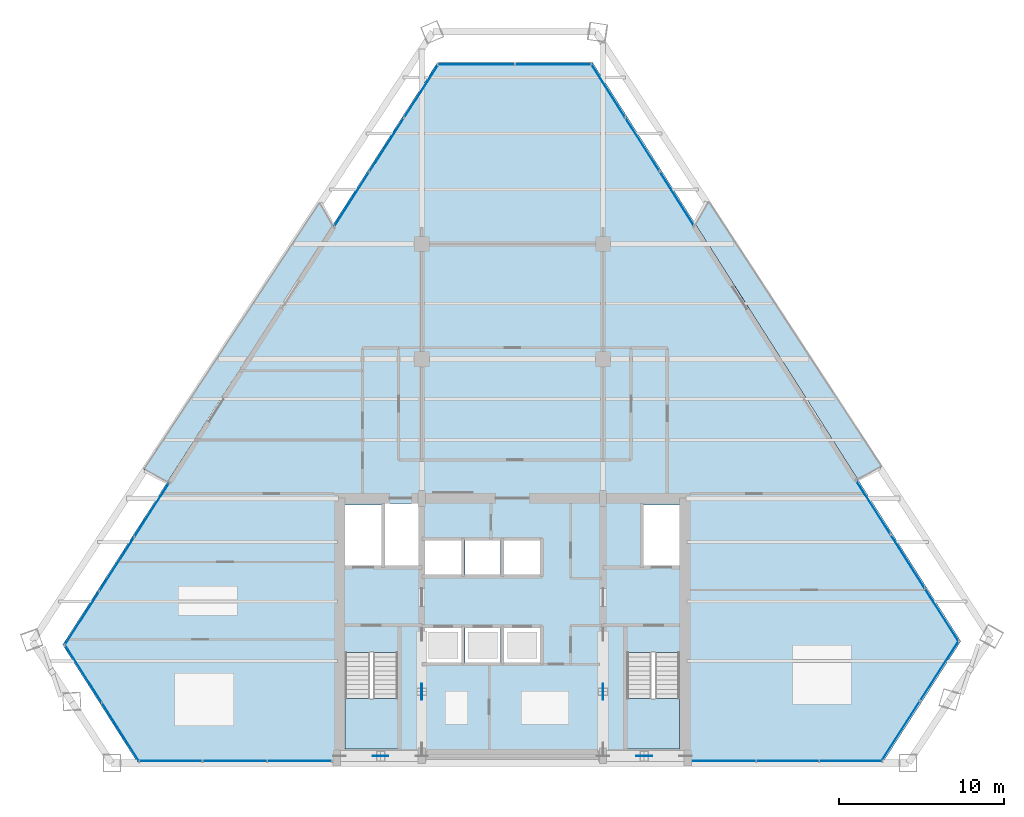
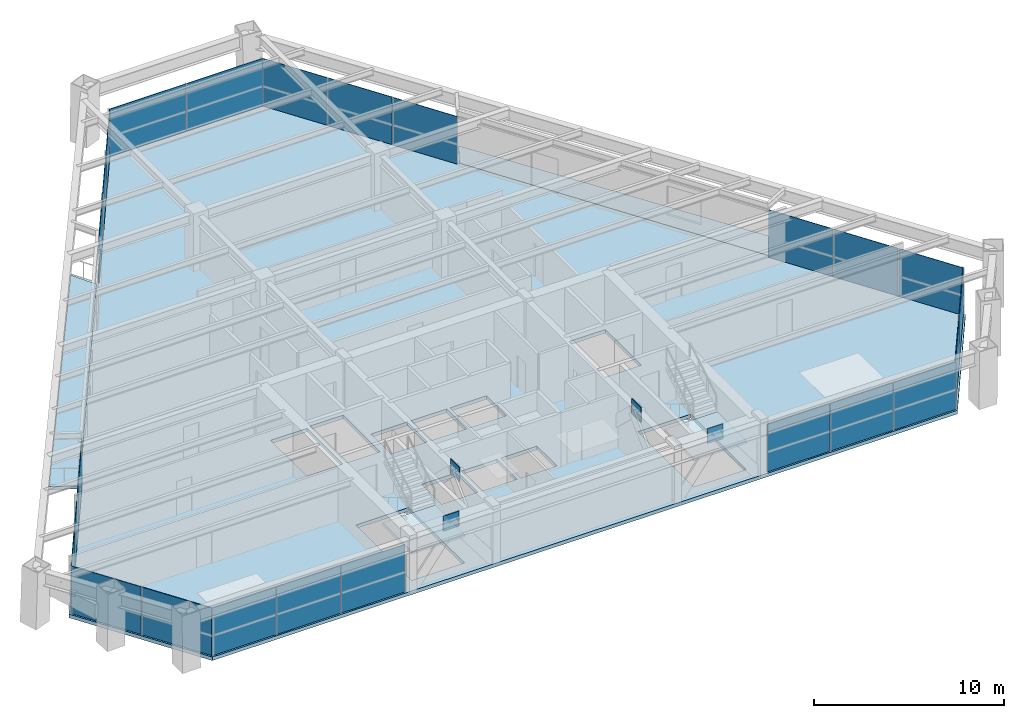
# One storey, part 10 of 16: 28 plates, 5 slabs, 11 elements without a shape of their own.
"""IFC4 building model written with IfcOpenShell, lengths in metres."""

from ifc_helpers import new_model, si_unit, direction, frame, origin, origin_2d, place, context, subcontext, project, spatial, polyline, rectangle, outline, extrude, source, transform, mapped, material, layer, layer_set, type_object, element, aggregate, save


model = new_model("IFC4")

# Units and contexts
model_context = context("Model", 3, precision=1e-05, world=origin(), true_north=direction((0.0, 1.0)))
body_context = subcontext(model_context, "Body", "Model", "MODEL_VIEW")
ifc_project = project(units=[si_unit("LENGTHUNIT", "METRE"), si_unit("AREAUNIT", "SQUARE_METRE"), si_unit("VOLUMEUNIT", "CUBIC_METRE"), si_unit("PLANEANGLEUNIT", "RADIAN"), si_unit("MASSUNIT", "GRAM", prefix="KILO")], contexts=[model_context])

# Site, building, storey
site_placement = place(None, origin())
site = spatial("IfcSite", under=ifc_project, at=site_placement, CompositionType="ELEMENT")
building_placement = place(site_placement, origin())
building = spatial("IfcBuilding", under=site, at=building_placement, Name="Varnakhor Terracotta Tower", CompositionType="ELEMENT")
storey_placement = place(building_placement, frame((0.0, 0.0, 151.5)))
storey = spatial("IfcBuildingStorey", under=building, at=storey_placement, Name="L38", CompositionType="ELEMENT", Elevation=151.5)

# Stair, slab
ifc_material_1 = material(Name="Concrete C40/50", Category="concrete")
stair_type = type_object("IfcStairType", Name="STR-CORE-OFFICE-1500", PredefinedType="HALF_TURN_STAIR", material=ifc_material_1)
stair_1_placement = place(storey_placement, origin())
stair_1 = element("IfcStair", 1, at=stair_1_placement, inside=storey, type_object=stair_type, Name="L38 Core Exit Stair ST-1", PredefinedType="HALF_TURN_STAIR")
ifc_layer_1 = layer(ifc_material_1, 0.179931640625, Name="Concrete C40/50")
ifc_layer_set_1 = layer_set([ifc_layer_1], Name="Concrete C40/50")
slab_type_1 = type_object("IfcSlabType", Name="SLB-LANDING-180", PredefinedType="LANDING", material=ifc_layer_set_1)
slab_1_placement = place(storey_placement, frame((0.0, 0.0, 1.64990234375)))
slab_1 = element("IfcSlab", 2, at=slab_1_placement, type_object=slab_type_1, Name="ST-1 landing 1", PredefinedType="LANDING", context=body_context, shape_type="SweptSolid", body=[
    extrude(outline(polyline([(-10.14990234375, 3.909912109375), (-10.14990234375, 0.85009765625), (-6.949951171875, 0.85009765625), (-6.949951171875, 3.909912109375), (-10.14990234375, 3.909912109375)])), origin(), (0.0, 0.0, 1.0), 0.2001953125),
])
aggregate(stair_1, [slab_1])

stair_2_placement = place(storey_placement, origin())
stair_2 = element("IfcStair", 3, at=stair_2_placement, inside=storey, type_object=stair_type, Name="L38 Core Exit Stair ST-2", PredefinedType="HALF_TURN_STAIR")
slab_2_placement = place(storey_placement, frame((0.0, 0.0, 1.64990234375)))
slab_2 = element("IfcSlab", 4, at=slab_2_placement, type_object=slab_type_1, Name="ST-2 landing 1", PredefinedType="LANDING", context=body_context, shape_type="SweptSolid", body=[
    extrude(outline(polyline([(6.949951171875, 3.909912109375), (6.949951171875, 0.85009765625), (10.14990234375, 0.85009765625), (10.14990234375, 3.909912109375), (6.949951171875, 3.909912109375)])), origin(), (0.0, 0.0, 1.0), 0.2001953125),
])
aggregate(stair_2, [slab_2])

# Slabs
ifc_layer_2 = layer(ifc_material_1, 0.195068359375, Name="Concrete C40/50")
ifc_layer_set_2 = layer_set([ifc_layer_2], Name="Concrete C40/50")
slab_type_2 = type_object("IfcSlabType", Name="SLB-LOGGIA-EXT-195", PredefinedType="FLOOR", material=ifc_layer_set_2)
slab_3_placement = place(storey_placement, frame((0.0, 0.0, -0.195068359375)))
element("IfcSlab", 5, at=slab_3_placement, inside=storey, type_object=slab_type_2, Name="L38 E Recessed Outdoor Loggia Slab", PredefinedType="FLOOR", context=body_context, shape_type="SweptSolid", body=[
    extrude(outline(polyline([(11.881103515625, 34.091064453125), (22.396484375, 17.968017578125), (20.956298828125, 17.225341796875), (14.827392578125, 26.85888671875), (11.12255859375, 32.682373046875), (11.881103515625, 34.091064453125)])), origin(), (0.0, 0.0, 1.0), 0.195068359375),
])
slab_4_placement = place(storey_placement, frame((0.0, 0.0, -0.195068359375)))
element("IfcSlab", 6, at=slab_4_placement, inside=storey, type_object=slab_type_2, Name="L38 W Recessed Outdoor Loggia Slab", PredefinedType="FLOOR", context=body_context, shape_type="SweptSolid", body=[
    extrude(outline(polyline([(-22.373779296875, 17.80810546875), (-11.679443359375, 34.029052734375), (-10.91845703125, 32.622802734375), (-20.927001953125, 17.072265625), (-22.373779296875, 17.80810546875)])), origin(), (0.0, 0.0, 1.0), 0.195068359375),
])
ifc_layer_3 = layer(ifc_material_1, 0.22998046875, Name="Concrete C40/50")
ifc_layer_set_3 = layer_set([ifc_layer_3], Name="Concrete C40/50")
slab_type_3 = type_object("IfcSlabType", Name="SLB-OFF-230", PredefinedType="FLOOR", material=ifc_layer_set_3)
slab_5_placement = place(storey_placement, frame((0.0, 0.0, -0.22998046875)))
element("IfcSlab", 7, at=slab_5_placement, inside=storey, type_object=slab_type_3, Name="L38 Structural Floor Slab", PredefinedType="FLOOR", context=body_context, shape_type="SweptSolid", body=[
    extrude(outline(polyline([(-27.2958984375, 7.176513671875), (-4.54931640625, 42.5185546875), (4.864990234375, 42.5185546875), (27.214111328125, 7.38916015625), (22.458251953125, 0.0), (-22.73046875, 0.0), (-27.2958984375, 7.176513671875)]), holes=[polyline([(-6.949951171875, 0.85009765625), (-6.949951171875, 6.695068359375), (-10.14990234375, 6.695068359375), (-10.14990234375, 0.85009765625), (-6.949951171875, 0.85009765625)]), polyline([(-3.10009765625, 6.10009765625), (-3.10009765625, 8.199951171875), (-5.300048828125, 8.199951171875), (-5.300048828125, 6.10009765625), (-3.10009765625, 6.10009765625)]), polyline([(-0.719970703125, 6.10009765625), (-0.719970703125, 8.199951171875), (-2.8798828125, 8.199951171875), (-2.8798828125, 6.10009765625), (-0.719970703125, 6.10009765625)]), polyline([(-5.300048828125, 11.419921875), (-3.10009765625, 11.419921875), (-3.10009765625, 13.52001953125), (-5.300048828125, 13.52001953125), (-5.300048828125, 11.419921875)]), polyline([(-10.14990234375, 11.8798828125), (-7.949951171875, 11.8798828125), (-7.949951171875, 15.64990234375), (-10.14990234375, 15.64990234375), (-10.14990234375, 11.8798828125)]), polyline([(-5.699951171875, 11.8798828125), (-5.699951171875, 15.75), (-7.72998046875, 15.75), (-7.72998046875, 11.8798828125), (-5.699951171875, 11.8798828125)]), polyline([(6.949951171875, 0.85009765625), (10.14990234375, 0.85009765625), (10.14990234375, 6.695068359375), (6.949951171875, 6.695068359375), (6.949951171875, 0.85009765625)]), polyline([(-0.5, 6.10009765625), (1.699951171875, 6.10009765625), (1.699951171875, 8.199951171875), (-0.5, 8.199951171875), (-0.5, 6.10009765625)]), polyline([(-0.719970703125, 11.419921875), (-0.719970703125, 13.52001953125), (-2.8798828125, 13.52001953125), (-2.8798828125, 11.419921875), (-0.719970703125, 11.419921875)]), polyline([(-0.5, 11.419921875), (1.699951171875, 11.419921875), (1.699951171875, 13.52001953125), (-0.5, 13.52001953125), (-0.5, 11.419921875)]), polyline([(7.949951171875, 11.8798828125), (10.14990234375, 11.8798828125), (10.14990234375, 15.64990234375), (7.949951171875, 15.64990234375), (7.949951171875, 11.8798828125)])]), origin(), (0.0, 0.0, 1.0), 0.22998046875),
])

# Plates
ifc_material_2 = material(Name="Steel S460", Category="steel")
ifc_layer_4 = layer(ifc_material_2, 0.050048828125, Name="Steel S460")
ifc_layer_set_4 = layer_set([ifc_layer_4], Name="Steel S460")
plate_type_1 = type_object("IfcPlateType", Name="PLT-GUSSET-50", PredefinedType="USERDEFINED", material=ifc_layer_set_4)
shared_shape_1 = source(origin(), body_context, "Body", "SweptSolid", [
    extrude(rectangle(XDim=0.949951171875, YDim=0.044921875, at=origin_2d()), origin(), (0.0, 0.0, 1.0), 0.949951171875),
])
for number, where, z_axis, x_axis, name in (
    (8, (-8.0, 0.419921875, 2.84521484375), (0.0, 0.0, 1.0), (1.0, 0.0, 0.0), "L38 Core Brace Apex Gusset CSW"),
    (9, (8.0, 0.419921875, 2.84521484375), (0.0, 0.0, 1.0), (1.0, 0.0, 0.0), "L38 Core Brace Apex Gusset CSE"),
    (10, (-5.5, 4.324951171875, 2.84521484375), (0.0, 0.0, 1.0), (0.0, 1.0, 0.0), "L38 Core Brace Apex Gusset CWW"),
    (11, (5.5, 4.324951171875, 2.84521484375), (0.0, 0.0, 1.0), (0.0, 1.0, 0.0), "L38 Core Brace Apex Gusset CWE"),
):
    element("IfcPlate", number, at=place(storey_placement, frame(where, z_axis=z_axis, x_axis=x_axis)), inside=storey, type_object=plate_type_1, Name=name, ObjectType="GUSSET PLATE", PredefinedType="USERDEFINED", context=body_context, shape_type="MappedRepresentation", body=[
        mapped(shared_shape_1, transform((0.0, 0.0, 0.0), scale=1.0)),
    ])

# Curtain wall, plates
ifc_material_3 = material(Name="Anodised Aluminium Curtain Wall System", Category="aluminium")
curtain_wall_type = type_object("IfcCurtainWallType", Name="CW-SYS-MID-OFFICE", PredefinedType="NOTDEFINED", material=ifc_material_3)
curtain_wall_1_placement = place(storey_placement, origin())
curtain_wall_1 = element("IfcCurtainWall", 12, at=curtain_wall_1_placement, inside=storey, type_object=curtain_wall_type, Name="L38 W Facet Curtain Wall 1", PredefinedType="NOTDEFINED")
ifc_material_4 = material(Name="Solar-Control Low-E Insulated Glass Panel", Category="glass")
ifc_layer_5 = layer(ifc_material_4, 0.035888671875, Name="Solar-Control Low-E Insulated Glass Panel")
ifc_layer_set_5 = layer_set([ifc_layer_5], Name="Solar-Control Low-E Insulated Glass Panel")
plate_type_2 = type_object("IfcPlateType", Name="CWP-03", PredefinedType="CURTAIN_PANEL", material=ifc_layer_set_5)
shared_shape_2 = source(origin(), body_context, "Body", "SweptSolid", [
    extrude(rectangle(XDim=3.86279296875, YDim=0.035888671875, at=origin_2d()), origin(), (0.0, 0.0, 1.0), 3.050048828125),
])
plate_1_placement = place(storey_placement, frame((-26.122802734375, 8.777587890625, 0.0), z_axis=(0.0, 0.0, 1.0), x_axis=(0.54120931267, 0.840887911602, 0.0)))
plate_1 = element("IfcPlate", 13, at=plate_1_placement, type_object=plate_type_2, Name="L38 W Facet Curtain Wall 1 Glazed Panel 1", PredefinedType="CURTAIN_PANEL", context=body_context, shape_type="MappedRepresentation", body=[
    mapped(shared_shape_2, transform((0.0, 0.0, 0.0), scale=1.0)),
])
plate_2_placement = place(storey_placement, frame((-24.010498046875, 12.059326171875, 0.0), z_axis=(0.0, 0.0, 1.0), x_axis=(0.54120931267, 0.840887911602, 0.0)))
plate_2 = element("IfcPlate", 14, at=plate_2_placement, type_object=plate_type_2, Name="L38 W Facet Curtain Wall 1 Glazed Panel 2", PredefinedType="CURTAIN_PANEL", context=body_context, shape_type="MappedRepresentation", body=[
    mapped(shared_shape_2, transform((0.0, 0.0, 0.0), scale=1.0)),
])
plate_3_placement = place(storey_placement, frame((-21.8984375, 15.341064453125, 0.0), z_axis=(0.0, 0.0, 1.0), x_axis=(0.54120931267, 0.840887911602, 0.0)))
plate_3 = element("IfcPlate", 15, at=plate_3_placement, type_object=plate_type_2, Name="L38 W Facet Curtain Wall 1 Glazed Panel 3", PredefinedType="CURTAIN_PANEL", context=body_context, shape_type="MappedRepresentation", body=[
    mapped(shared_shape_2, transform((0.0, 0.0, 0.0), scale=1.0)),
])
aggregate(curtain_wall_1, [plate_1, plate_2, plate_3])

curtain_wall_2_placement = place(storey_placement, origin())
curtain_wall_2 = element("IfcCurtainWall", 16, at=curtain_wall_2_placement, inside=storey, type_object=curtain_wall_type, Name="L38 W Facet Curtain Wall 2", PredefinedType="NOTDEFINED")
plate_4_placement = place(storey_placement, frame((-9.7451171875, 34.223876953125, 0.0), z_axis=(0.0, 0.0, 1.0), x_axis=(0.54120931267, 0.840887911602, 0.0)))
plate_4 = element("IfcPlate", 17, at=plate_4_placement, type_object=plate_type_2, Name="L38 W Facet Curtain Wall 2 Glazed Panel 1", PredefinedType="CURTAIN_PANEL", context=body_context, shape_type="MappedRepresentation", body=[
    mapped(shared_shape_2, transform((0.0, 0.0, 0.0), scale=1.0)),
])
plate_5_placement = place(storey_placement, frame((-7.6328125, 37.505615234375, 0.0), z_axis=(0.0, 0.0, 1.0), x_axis=(0.54120931267, 0.840887911602, 0.0)))
plate_5 = element("IfcPlate", 18, at=plate_5_placement, type_object=plate_type_2, Name="L38 W Facet Curtain Wall 2 Glazed Panel 2", PredefinedType="CURTAIN_PANEL", context=body_context, shape_type="MappedRepresentation", body=[
    mapped(shared_shape_2, transform((0.0, 0.0, 0.0), scale=1.0)),
])
plate_6_placement = place(storey_placement, frame((-5.520751953125, 40.787353515625, 0.0), z_axis=(0.0, 0.0, 1.0), x_axis=(0.54120931267, 0.840887911602, 0.0)))
plate_6 = element("IfcPlate", 19, at=plate_6_placement, type_object=plate_type_2, Name="L38 W Facet Curtain Wall 2 Glazed Panel 3", PredefinedType="CURTAIN_PANEL", context=body_context, shape_type="MappedRepresentation", body=[
    mapped(shared_shape_2, transform((0.0, 0.0, 0.0), scale=1.0)),
])
aggregate(curtain_wall_2, [plate_4, plate_5, plate_6])

curtain_wall_3_placement = place(storey_placement, origin())
curtain_wall_3 = element("IfcCurtainWall", 20, at=curtain_wall_3_placement, inside=storey, type_object=curtain_wall_type, Name="L38 Facet Curtain Wall 2", PredefinedType="NOTDEFINED")
shared_shape_3 = source(origin(), body_context, "Body", "SweptSolid", [
    extrude(rectangle(XDim=4.63720703125, YDim=0.035888671875, at=origin_2d()), origin(), (0.0, 0.0, 1.0), 3.050048828125),
])
plate_7_placement = place(storey_placement, frame((-2.180908203125, 42.3984375, 0.0), z_axis=(0.0, 0.0, 1.0), x_axis=(1.0, 0.0, 0.0)))
plate_7 = element("IfcPlate", 21, at=plate_7_placement, type_object=plate_type_2, Name="L38 Facet Curtain Wall 2 Glazed Panel 1", PredefinedType="CURTAIN_PANEL", context=body_context, shape_type="MappedRepresentation", body=[
    mapped(shared_shape_3, transform((0.0, 0.0, 0.0), scale=1.0)),
])
plate_8_placement = place(storey_placement, frame((2.496337890625, 42.3984375, 0.0), z_axis=(0.0, 0.0, 1.0), x_axis=(1.0, 0.0, 0.0)))
plate_8 = element("IfcPlate", 22, at=plate_8_placement, type_object=plate_type_2, Name="L38 Facet Curtain Wall 2 Glazed Panel 2", PredefinedType="CURTAIN_PANEL", context=body_context, shape_type="MappedRepresentation", body=[
    mapped(shared_shape_3, transform((0.0, 0.0, 0.0), scale=1.0)),
])
aggregate(curtain_wall_3, [plate_7, plate_8])

curtain_wall_4_placement = place(storey_placement, origin())
curtain_wall_4 = element("IfcCurtainWall", 23, at=curtain_wall_4_placement, inside=storey, type_object=curtain_wall_type, Name="L38 E Facet Curtain Wall 1", PredefinedType="NOTDEFINED")
shared_shape_4 = source(origin(), body_context, "Body", "SweptSolid", [
    extrude(rectangle(XDim=3.825927734375, YDim=0.035888671875, at=origin_2d()), origin(), (0.0, 0.0, 1.0), 3.050048828125),
])
plate_9_placement = place(storey_placement, frame((5.8173828125, 40.7978515625, 0.0), z_axis=(0.0, 0.0, 1.0), x_axis=(0.536769583849, -0.843728874612, 0.0)))
plate_9 = element("IfcPlate", 24, at=plate_9_placement, type_object=plate_type_2, Name="L38 E Facet Curtain Wall 1 Glazed Panel 1", PredefinedType="CURTAIN_PANEL", context=body_context, shape_type="MappedRepresentation", body=[
    mapped(shared_shape_4, transform((0.0, 0.0, 0.0), scale=1.0)),
])
plate_10_placement = place(storey_placement, frame((9.9677734375, 34.274169921875, 0.0), z_axis=(0.0, 0.0, 1.0), x_axis=(0.536769583849, -0.843728874612, 0.0)))
plate_10 = element("IfcPlate", 25, at=plate_10_placement, type_object=plate_type_2, Name="L38 E Facet Curtain Wall 1 Glazed Panel 3", PredefinedType="CURTAIN_PANEL", context=body_context, shape_type="MappedRepresentation", body=[
    mapped(shared_shape_4, transform((0.0, 0.0, 0.0), scale=1.0)),
])

curtain_wall_5_placement = place(storey_placement, origin())
curtain_wall_5 = element("IfcCurtainWall", 26, at=curtain_wall_5_placement, inside=storey, type_object=curtain_wall_type, Name="L38 E Facet Curtain Wall 2", PredefinedType="NOTDEFINED")
plate_11_placement = place(storey_placement, frame((23.98388671875, 12.242919921875, 0.0), z_axis=(0.0, 0.0, 1.0), x_axis=(0.536769583849, -0.843728874612, 0.0)))
plate_11 = element("IfcPlate", 27, at=plate_11_placement, type_object=plate_type_2, Name="L38 E Facet Curtain Wall 2 Glazed Panel 2", PredefinedType="CURTAIN_PANEL", context=body_context, shape_type="MappedRepresentation", body=[
    mapped(shared_shape_4, transform((0.0, 0.0, 0.0), scale=1.0)),
])
plate_12_placement = place(storey_placement, frame((26.05908203125, 8.98095703125, 0.0), z_axis=(0.0, 0.0, 1.0), x_axis=(0.536769583849, -0.843728874612, 0.0)))
plate_12 = element("IfcPlate", 28, at=plate_12_placement, type_object=plate_type_2, Name="L38 E Facet Curtain Wall 2 Glazed Panel 3", PredefinedType="CURTAIN_PANEL", context=body_context, shape_type="MappedRepresentation", body=[
    mapped(shared_shape_4, transform((0.0, 0.0, 0.0), scale=1.0)),
])

# Plate
shared_shape_5 = source(origin(), body_context, "Body", "SweptSolid", [
    extrude(rectangle(XDim=3.826171875, YDim=0.035888671875, at=origin_2d()), origin(), (0.0, 0.0, 1.0), 3.050048828125),
])
plate_13_placement = place(storey_placement, frame((7.892578125, 37.535888671875, 0.0), z_axis=(0.0, 0.0, 1.0), x_axis=(0.536769583849, -0.843728874612, 0.0)))
plate_13 = element("IfcPlate", 29, at=plate_13_placement, type_object=plate_type_2, Name="L38 E Facet Curtain Wall 1 Glazed Panel 2", PredefinedType="CURTAIN_PANEL", context=body_context, shape_type="MappedRepresentation", body=[
    mapped(shared_shape_5, transform((0.0, 0.0, 0.0), scale=1.0)),
])

aggregate(curtain_wall_4, [plate_9, plate_13, plate_10])

plate_14_placement = place(storey_placement, frame((21.90869140625, 15.504638671875, 0.0), z_axis=(0.0, 0.0, 1.0), x_axis=(0.536769583849, -0.843728874612, 0.0)))
plate_14 = element("IfcPlate", 30, at=plate_14_placement, type_object=plate_type_2, Name="L38 E Facet Curtain Wall 2 Glazed Panel 1", PredefinedType="CURTAIN_PANEL", context=body_context, shape_type="MappedRepresentation", body=[
    mapped(shared_shape_5, transform((0.0, 0.0, 0.0), scale=1.0)),
])

aggregate(curtain_wall_5, [plate_14, plate_11, plate_12])

# Curtain wall, plates
curtain_wall_6_placement = place(storey_placement, origin())
curtain_wall_6 = element("IfcCurtainWall", 31, at=curtain_wall_6_placement, inside=storey, type_object=curtain_wall_type, Name="L38 Facet Curtain Wall 4", PredefinedType="NOTDEFINED")
shared_shape_6 = source(origin(), body_context, "Body", "SweptSolid", [
    extrude(rectangle(XDim=4.323486328125, YDim=0.035888671875, at=origin_2d()), origin(), (0.0, 0.0, 1.0), 3.050048828125),
])
plate_15_placement = place(storey_placement, frame((25.916015625, 5.593994140625, 0.0), z_axis=(0.0, 0.0, 1.0), x_axis=(-0.54120931267, -0.840887911602, 0.0)))
plate_15 = element("IfcPlate", 32, at=plate_15_placement, type_object=plate_type_2, Name="L38 Facet Curtain Wall 4 Glazed Panel 1", PredefinedType="CURTAIN_PANEL", context=body_context, shape_type="MappedRepresentation", body=[
    mapped(shared_shape_6, transform((0.0, 0.0, 0.0), scale=1.0)),
])
plate_16_placement = place(storey_placement, frame((23.55419921875, 1.9248046875, 0.0), z_axis=(0.0, 0.0, 1.0), x_axis=(-0.54120931267, -0.840887911602, 0.0)))
plate_16 = element("IfcPlate", 33, at=plate_16_placement, type_object=plate_type_2, Name="L38 Facet Curtain Wall 4 Glazed Panel 2", PredefinedType="CURTAIN_PANEL", context=body_context, shape_type="MappedRepresentation", body=[
    mapped(shared_shape_6, transform((0.0, 0.0, 0.0), scale=1.0)),
])
aggregate(curtain_wall_6, [plate_15, plate_16])

curtain_wall_7_placement = place(storey_placement, origin())
curtain_wall_7 = element("IfcCurtainWall", 34, at=curtain_wall_7_placement, inside=storey, type_object=curtain_wall_type, Name="L38 South Wing Curtain Wall SSE", PredefinedType="NOTDEFINED")
shared_shape_7 = source(origin(), body_context, "Body", "SweptSolid", [
    extrude(rectangle(XDim=3.7861328125, YDim=0.035888671875, at=origin_2d()), origin(), (0.0, 0.0, 1.0), 3.050048828125),
])
plate_17_placement = place(storey_placement, frame((20.53515625, 0.1201171875, 0.0), z_axis=(0.0, 0.0, 1.0), x_axis=(-1.0, 0.0, 0.0)))
plate_17 = element("IfcPlate", 35, at=plate_17_placement, type_object=plate_type_2, Name="L38 South Wing Curtain Wall SSE Glazed Panel 1", PredefinedType="CURTAIN_PANEL", context=body_context, shape_type="MappedRepresentation", body=[
    mapped(shared_shape_7, transform((0.0, 0.0, 0.0), scale=1.0)),
])
plate_18_placement = place(storey_placement, frame((12.883056640625, 0.1201171875, 0.0), z_axis=(0.0, 0.0, 1.0), x_axis=(-1.0, 0.0, 0.0)))
plate_18 = element("IfcPlate", 36, at=plate_18_placement, type_object=plate_type_2, Name="L38 South Wing Curtain Wall SSE Glazed Panel 3", PredefinedType="CURTAIN_PANEL", context=body_context, shape_type="MappedRepresentation", body=[
    mapped(shared_shape_7, transform((0.0, 0.0, 0.0), scale=1.0)),
])
shared_shape_8 = source(origin(), body_context, "Body", "SweptSolid", [
    extrude(rectangle(XDim=3.785888671875, YDim=0.035888671875, at=origin_2d()), origin(), (0.0, 0.0, 1.0), 3.050048828125),
])
plate_19_placement = place(storey_placement, frame((16.708984375, 0.1201171875, 0.0), z_axis=(0.0, 0.0, 1.0), x_axis=(-1.0, 0.0, 0.0)))
plate_19 = element("IfcPlate", 37, at=plate_19_placement, type_object=plate_type_2, Name="L38 South Wing Curtain Wall SSE Glazed Panel 2", PredefinedType="CURTAIN_PANEL", context=body_context, shape_type="MappedRepresentation", body=[
    mapped(shared_shape_8, transform((0.0, 0.0, 0.0), scale=1.0)),
])
aggregate(curtain_wall_7, [plate_17, plate_19, plate_18])

curtain_wall_8_placement = place(storey_placement, origin())
curtain_wall_8 = element("IfcCurtainWall", 38, at=curtain_wall_8_placement, inside=storey, type_object=curtain_wall_type, Name="L38 South Wing Curtain Wall SSW", PredefinedType="NOTDEFINED")
shared_shape_9 = source(origin(), body_context, "Body", "SweptSolid", [
    extrude(rectangle(XDim=3.876708984375, YDim=0.035888671875, at=origin_2d()), origin(), (0.0, 0.0, 1.0), 3.050048828125),
])
plate_20_placement = place(storey_placement, frame((-12.928466796875, 0.1201171875, 0.0), z_axis=(0.0, 0.0, 1.0), x_axis=(-1.0, 0.0, 0.0)))
plate_20 = element("IfcPlate", 39, at=plate_20_placement, type_object=plate_type_2, Name="L38 South Wing Curtain Wall SSW Glazed Panel 1", PredefinedType="CURTAIN_PANEL", context=body_context, shape_type="MappedRepresentation", body=[
    mapped(shared_shape_9, transform((0.0, 0.0, 0.0), scale=1.0)),
])
plate_21_placement = place(storey_placement, frame((-20.76220703125, 0.1201171875, 0.0), z_axis=(0.0, 0.0, 1.0), x_axis=(-1.0, 0.0, 0.0)))
plate_21 = element("IfcPlate", 40, at=plate_21_placement, type_object=plate_type_2, Name="L38 South Wing Curtain Wall SSW Glazed Panel 3", PredefinedType="CURTAIN_PANEL", context=body_context, shape_type="MappedRepresentation", body=[
    mapped(shared_shape_9, transform((0.0, 0.0, 0.0), scale=1.0)),
])
shared_shape_10 = source(origin(), body_context, "Body", "SweptSolid", [
    extrude(rectangle(XDim=3.876953125, YDim=0.035888671875, at=origin_2d()), origin(), (0.0, 0.0, 1.0), 3.050048828125),
])
plate_22_placement = place(storey_placement, frame((-16.84521484375, 0.1201171875, 0.0), z_axis=(0.0, 0.0, 1.0), x_axis=(-1.0, 0.0, 0.0)))
plate_22 = element("IfcPlate", 41, at=plate_22_placement, type_object=plate_type_2, Name="L38 South Wing Curtain Wall SSW Glazed Panel 2", PredefinedType="CURTAIN_PANEL", context=body_context, shape_type="MappedRepresentation", body=[
    mapped(shared_shape_10, transform((0.0, 0.0, 0.0), scale=1.0)),
])
aggregate(curtain_wall_8, [plate_20, plate_22, plate_21])

curtain_wall_9_placement = place(storey_placement, origin())
curtain_wall_9 = element("IfcCurtainWall", 42, at=curtain_wall_9_placement, inside=storey, type_object=curtain_wall_type, Name="L38 Facet Curtain Wall 6", PredefinedType="NOTDEFINED")
shared_shape_11 = source(origin(), body_context, "Body", "SweptSolid", [
    extrude(rectangle(XDim=4.182861328125, YDim=0.035888671875, at=origin_2d()), origin(), (0.0, 0.0, 1.0), 3.050048828125),
])
plate_23_placement = place(storey_placement, frame((-23.77880859375, 1.87109375, 0.0), z_axis=(0.0, 0.0, 1.0), x_axis=(-0.536769583849, 0.843728874612, 0.0)))
plate_23 = element("IfcPlate", 43, at=plate_23_placement, type_object=plate_type_2, Name="L38 Facet Curtain Wall 6 Glazed Panel 1", PredefinedType="CURTAIN_PANEL", context=body_context, shape_type="MappedRepresentation", body=[
    mapped(shared_shape_11, transform((0.0, 0.0, 0.0), scale=1.0)),
])
plate_24_placement = place(storey_placement, frame((-26.04541015625, 5.43408203125, 0.0), z_axis=(0.0, 0.0, 1.0), x_axis=(-0.536769583849, 0.843728874612, 0.0)))
plate_24 = element("IfcPlate", 44, at=plate_24_placement, type_object=plate_type_2, Name="L38 Facet Curtain Wall 6 Glazed Panel 2", PredefinedType="CURTAIN_PANEL", context=body_context, shape_type="MappedRepresentation", body=[
    mapped(shared_shape_11, transform((0.0, 0.0, 0.0), scale=1.0)),
])
aggregate(curtain_wall_9, [plate_23, plate_24])

save(model, "model.ifc")
